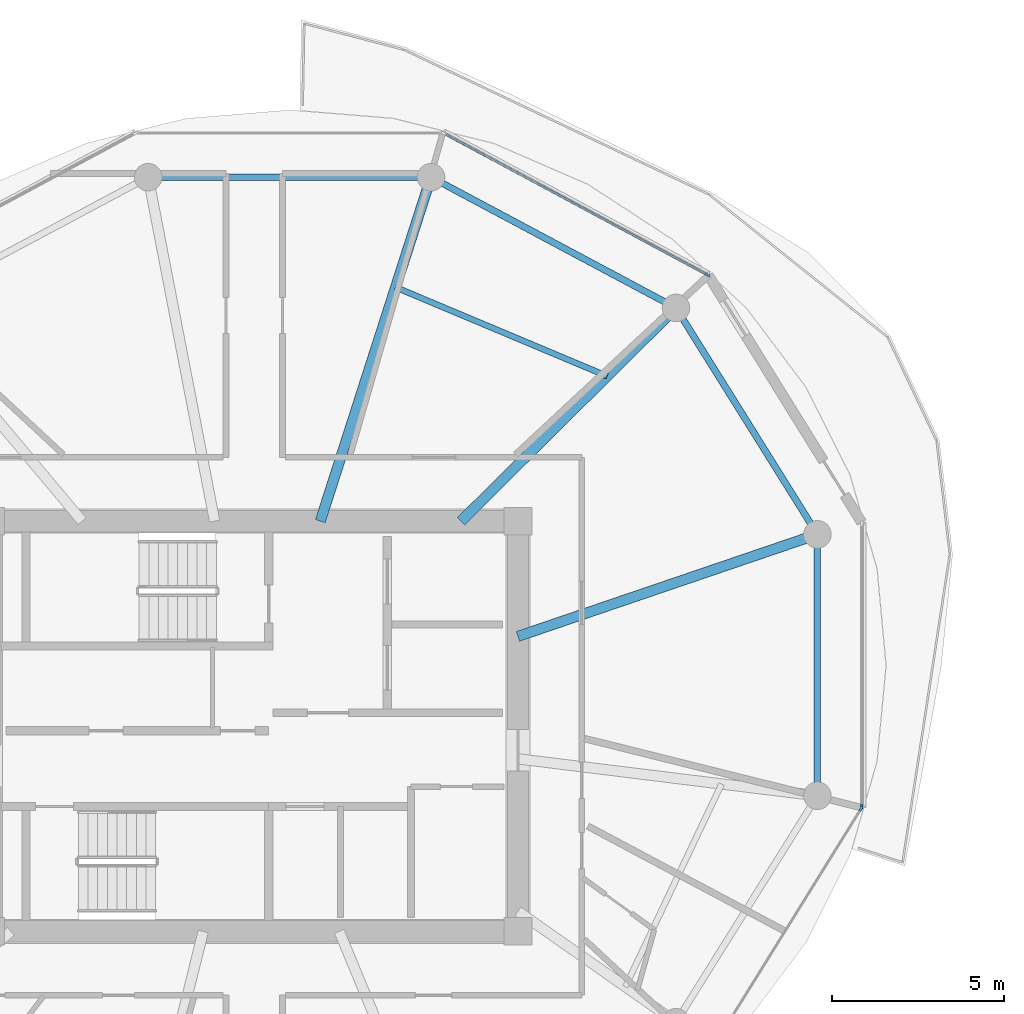
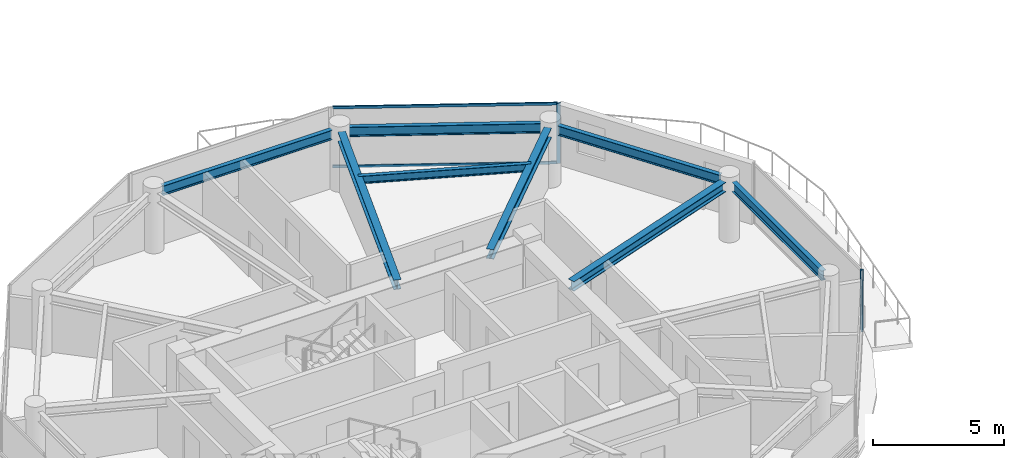
# One storey, part 5 of 21: 8 beams, 5 members, 3 elements without a shape of their own.
"""IFC4 building model written with IfcOpenShell, lengths in metres."""

from ifc_helpers import new_model, si_unit, direction, frame, origin, origin_2d, place, context, subcontext, project, spatial, rectangle, i_section, extrude, source, transform, mapped, material, layer, layer_set, material_profile, profile_set, type_object, type_shapes, element, aggregate, save


model = new_model("IFC4")

# Units and contexts
model_context = context("Model", 3, precision=1e-05, world=origin(), true_north=direction((0.0, 1.0)))
body_context = subcontext(model_context, "Body", "Model", "MODEL_VIEW")
ifc_project = project(units=[si_unit("LENGTHUNIT", "METRE"), si_unit("AREAUNIT", "SQUARE_METRE"), si_unit("VOLUMEUNIT", "CUBIC_METRE"), si_unit("PLANEANGLEUNIT", "RADIAN"), si_unit("MASSUNIT", "GRAM", prefix="KILO")], contexts=[model_context])

# Site, building, storey
site_placement = place(None, origin())
site = spatial("IfcSite", under=ifc_project, at=site_placement, CompositionType="ELEMENT")
building_placement = place(site_placement, origin())
building = spatial("IfcBuilding", under=site, at=building_placement, Name="Norrkilde Senior Care Towers", CompositionType="ELEMENT")
storey_placement = place(building_placement, frame((0.0, 0.0, 140.39990234375)))
storey = spatial("IfcBuildingStorey", under=building, at=storey_placement, Name="L43", CompositionType="ELEMENT", Elevation=140.39990234375)

# Beams
ifc_material_1 = material(Name="Steel S355", Category="steel")
ifc_material_profile_1 = material_profile(ifc_material_1, i_section(OverallWidth=0.18994140625, OverallDepth=0.449951171875, WebThickness=0.009521484375, FlangeThickness=0.0146484375, FilletRadius=0.02099609375, at=origin_2d()), Name="IPE 450")
ifc_profile_set_1 = profile_set([ifc_material_profile_1], Name="Steel S355")
beam_type_1 = type_object("IfcBeamType", Name="Perimeter Ring Spandrel Z3 IPE450", PredefinedType="SPANDREL", material=ifc_profile_set_1)
shared_shape_1 = source(origin(), body_context, "Body", "SweptSolid", [
    extrude(i_section(OverallWidth=0.18994140625, OverallDepth=0.449951171875, WebThickness=0.009521484375, FlangeThickness=0.0146484375, FilletRadius=0.02099609375, at=origin_2d()), origin(), (0.0, 0.0, 1.0), 7.0234375),
])
beam_1_placement = place(storey_placement, frame((-11.855712890625, 5.872314453125, 2.585205078125), z_axis=(-0.529789577822, 0.848129119433, 0.0), x_axis=(-0.848129119433, -0.529789577822, 0.0)))
element("IfcBeam", 1, at=beam_1_placement, inside=storey, type_object=beam_type_1, Name="L43 Drum W Perimeter Spandrel 01", PredefinedType="SPANDREL", context=body_context, shape_type="MappedRepresentation", body=[
    mapped(shared_shape_1, transform((0.0, 0.0, 0.0), x_axis=(1.0, 0.0, 0.0), y_axis=(0.0, 1.0, 0.0), z_axis=(0.0, 0.0, 1.0), scale=1.0)),
])
ifc_material_profile_2 = material_profile(ifc_material_1, i_section(OverallWidth=0.300048828125, OverallDepth=0.449951171875, WebThickness=0.013916015625, FlangeThickness=0.02587890625, FilletRadius=0.027099609375, at=origin_2d()), Name="HEB 450")
ifc_profile_set_2 = profile_set([ifc_material_profile_2], Name="Steel S355")
beam_type_2 = type_object("IfcBeamType", Name="Radial Floor Beam Z3 HEB450", PredefinedType="BEAM", material=ifc_profile_set_2)
shared_shape_2 = source(origin(), body_context, "Body", "SweptSolid", [
    extrude(i_section(OverallWidth=0.300048828125, OverallDepth=0.449951171875, WebThickness=0.013916015625, FlangeThickness=0.02587890625, FilletRadius=0.027099609375, at=origin_2d()), origin(), (0.0, 0.0, 1.0), 8.8154296875),
])
beam_2_placement = place(storey_placement, frame((-20.35009765625, 2.607177734375, 2.585205078125), z_axis=(0.946540556878, 0.322584832539, 0.0), x_axis=(-0.322584832539, 0.946540556878, 0.0)))
element("IfcBeam", 2, at=beam_2_placement, inside=storey, type_object=beam_type_2, Name="L43 Drum W Radial Floor Beam 01", PredefinedType="BEAM", context=body_context, shape_type="MappedRepresentation", body=[
    mapped(shared_shape_2, transform((0.0, 0.0, 0.0), x_axis=(1.0, 0.0, 0.0), y_axis=(0.0, 1.0, 0.0), z_axis=(0.0, 0.0, 1.0), scale=1.0)),
])
shared_shape_3 = source(origin(), body_context, "Body", "SweptSolid", [
    extrude(i_section(OverallWidth=0.18994140625, OverallDepth=0.449951171875, WebThickness=0.009521484375, FlangeThickness=0.0146484375, FilletRadius=0.02099609375, at=origin_2d()), origin(), (0.0, 0.0, 1.0), 7.333740234375),
])
beam_3_placement = place(storey_placement, frame((-16.0849609375, 12.303955078125, 2.585205078125), z_axis=(-0.882247866069, 0.470785198172, 0.0), x_axis=(-0.470785198172, -0.882247866069, 0.0)))
element("IfcBeam", 3, at=beam_3_placement, inside=storey, type_object=beam_type_1, Name="L43 Drum W Perimeter Spandrel 02", PredefinedType="SPANDREL", context=body_context, shape_type="MappedRepresentation", body=[
    mapped(shared_shape_3, transform((0.0, 0.0, 0.0), x_axis=(1.0, 0.0, 0.0), y_axis=(0.0, 1.0, 0.0), z_axis=(0.0, 0.0, 1.0), scale=1.0)),
])
shared_shape_4 = source(origin(), body_context, "Body", "SweptSolid", [
    extrude(i_section(OverallWidth=0.300048828125, OverallDepth=0.449951171875, WebThickness=0.013916015625, FlangeThickness=0.02587890625, FilletRadius=0.027099609375, at=origin_2d()), origin(), (0.0, 0.0, 1.0), 8.421630859375),
])
beam_4_placement = place(storey_placement, frame((-22.001953125, 5.949951171875, 2.585205078125), z_axis=(0.709956495972, 0.704245535184, 0.0), x_axis=(-0.704245535184, 0.709956495972, 0.0)))
element("IfcBeam", 4, at=beam_4_placement, inside=storey, type_object=beam_type_2, Name="L43 Drum W Radial Floor Beam 02", PredefinedType="BEAM", context=body_context, shape_type="MappedRepresentation", body=[
    mapped(shared_shape_4, transform((0.0, 0.0, 0.0), x_axis=(1.0, 0.0, 0.0), y_axis=(0.0, 1.0, 0.0), z_axis=(0.0, 0.0, 1.0), scale=1.0)),
])
shared_shape_5 = source(origin(), body_context, "Body", "SweptSolid", [
    extrude(i_section(OverallWidth=0.18994140625, OverallDepth=0.449951171875, WebThickness=0.009521484375, FlangeThickness=0.0146484375, FilletRadius=0.02099609375, at=origin_2d()), origin(), (0.0, 0.0, 1.0), 7.484619140625),
])
beam_5_placement = place(storey_placement, frame((-23.232666015625, 15.92626953125, 2.585205078125), z_axis=(-1.0, 0.0, 0.0), x_axis=(0.0, -1.0, 0.0)))
element("IfcBeam", 5, at=beam_5_placement, inside=storey, type_object=beam_type_1, Name="L43 Drum W Perimeter Spandrel 03", PredefinedType="SPANDREL", context=body_context, shape_type="MappedRepresentation", body=[
    mapped(shared_shape_5, transform((0.0, 0.0, 0.0), x_axis=(1.0, 0.0, 0.0), y_axis=(0.0, 1.0, 0.0), z_axis=(0.0, 0.0, 1.0), scale=1.0)),
])
shared_shape_6 = source(origin(), body_context, "Body", "SweptSolid", [
    extrude(i_section(OverallWidth=0.300048828125, OverallDepth=0.449951171875, WebThickness=0.013916015625, FlangeThickness=0.02587890625, FilletRadius=0.027099609375, at=origin_2d()), origin(), (0.0, 0.0, 1.0), 10.120361328125),
])
type_shapes(beam_type_2, [shared_shape_2, shared_shape_4, shared_shape_6])
beam_6_placement = place(storey_placement, frame((-26.08447265625, 5.949951171875, 2.585205078125), z_axis=(0.306440973744, 0.951889662519, 0.0), x_axis=(-0.951889662519, 0.306440973744, 0.0)))
element("IfcBeam", 6, at=beam_6_placement, inside=storey, type_object=beam_type_2, Name="L43 Drum W Radial Floor Beam 03", PredefinedType="BEAM", context=body_context, shape_type="MappedRepresentation", body=[
    mapped(shared_shape_6, transform((0.0, 0.0, 0.0), x_axis=(1.0, 0.0, 0.0), y_axis=(0.0, 1.0, 0.0), z_axis=(0.0, 0.0, 1.0), scale=1.0)),
])
shared_shape_7 = source(origin(), body_context, "Body", "SweptSolid", [
    extrude(i_section(OverallWidth=0.18994140625, OverallDepth=0.449951171875, WebThickness=0.009521484375, FlangeThickness=0.0146484375, FilletRadius=0.02099609375, at=origin_2d()), origin(), (0.0, 0.0, 1.0), 6.86328125),
])
type_shapes(beam_type_1, [shared_shape_1, shared_shape_3, shared_shape_5, shared_shape_7])
beam_7_placement = place(storey_placement, frame((-11.6650390625, -1.65625, 2.585205078125), z_axis=(0.0, 1.0, 0.0), x_axis=(-1.0, 0.0, 0.0)))
element("IfcBeam", 7, at=beam_7_placement, inside=storey, type_object=beam_type_1, Name="L43 Drum W Perimeter Spandrel 12", PredefinedType="SPANDREL", context=body_context, shape_type="MappedRepresentation", body=[
    mapped(shared_shape_7, transform((0.0, 0.0, 0.0), x_axis=(1.0, 0.0, 0.0), y_axis=(0.0, 1.0, 0.0), z_axis=(0.0, 0.0, 1.0), scale=1.0)),
])
ifc_material_profile_3 = material_profile(ifc_material_1, i_section(OverallWidth=0.169921875, OverallDepth=0.360107421875, WebThickness=0.008056640625, FlangeThickness=0.0126953125, FilletRadius=0.01806640625, at=origin_2d()), Name="IPE 360")
ifc_profile_set_3 = profile_set([ifc_material_profile_3], Name="Steel S355")
beam_type_3 = type_object("IfcBeamType", Name="Secondary Floor Joist IPE360", PredefinedType="JOIST", material=ifc_profile_set_3)
shared_shape_8 = source(origin(), body_context, "Body", "SweptSolid", [
    extrude(i_section(OverallWidth=0.169921875, OverallDepth=0.360107421875, WebThickness=0.008056640625, FlangeThickness=0.0126953125, FilletRadius=0.01806640625, at=origin_2d()), origin(), (0.0, 0.0, 1.0), 6.657470703125),
])
type_shapes(beam_type_3, [shared_shape_8])
beam_8_placement = place(storey_placement, frame((-17.762451171875, 10.155517578125, 2.630126953125), z_axis=(-0.921958799252, 0.387287971, 0.0), x_axis=(-0.387287971, -0.921958799252, 0.0)))
element("IfcBeam", 8, at=beam_8_placement, inside=storey, type_object=beam_type_3, Name="L43 Drum W Secondary Floor Joist 1", PredefinedType="JOIST", context=body_context, shape_type="MappedRepresentation", body=[
    mapped(shared_shape_8, transform((0.0, 0.0, 0.0), x_axis=(1.0, 0.0, 0.0), y_axis=(0.0, 1.0, 0.0), z_axis=(0.0, 0.0, 1.0), scale=1.0)),
])

# Curtain wall, member
ifc_material_2 = material(Name="Triple Low-E Insulated Glazing", Category="glass")
ifc_layer = layer(ifc_material_2, 0.18994140625)
ifc_layer_set = layer_set([ifc_layer], Name="Triple Low-E Insulated Glazing")
curtain_wall_type = type_object("IfcCurtainWallType", Name="CW4 Zone 3 Senior Residence Curtain Wall", PredefinedType="NOTDEFINED", material=ifc_layer_set)
curtain_wall_1_placement = place(storey_placement, origin())
curtain_wall_1 = element("IfcCurtainWall", 9, at=curtain_wall_1_placement, inside=storey, type_object=curtain_wall_type, Name="L43 Drum W Curtain Wall 01", PredefinedType="NOTDEFINED")
ifc_material_3 = material(Name="Anodised Aluminium", Category="aluminium")
ifc_material_profile_4 = material_profile(ifc_material_3, rectangle(XDim=0.06494140625, YDim=0.14990234375, at=origin_2d()), Name="ALU MULL 65x150")
ifc_profile_set_4 = profile_set([ifc_material_profile_4], Name="Anodised Aluminium")
member_type_1 = type_object("IfcMemberType", Name="Curtain Wall Mullion Z3-Z4 65x150", PredefinedType="MULLION", material=ifc_profile_set_4)
shared_shape_9 = source(origin(), body_context, "Body", "SweptSolid", [
    extrude(rectangle(XDim=0.06494140625, YDim=0.14990234375, at=origin_2d()), origin(), (0.0, 0.0, 1.0), 2.81005859375),
])
type_shapes(member_type_1, [shared_shape_9])
member_1_placement = place(storey_placement, frame((-14.85546875, 13.09033203125, 0.0), z_axis=(0.0, 0.0, 1.0), x_axis=(0.47311715104, 0.880999524059, 0.0)))
member_1 = element("IfcMember", 10, at=member_1_placement, type_object=member_type_1, Name="CW-4 mullion 2", PredefinedType="MULLION", context=body_context, shape_type="MappedRepresentation", body=[
    mapped(shared_shape_9, transform((0.0, 0.0, 0.0), x_axis=(1.0, 0.0, 0.0), y_axis=(0.0, 1.0, 0.0), z_axis=(0.0, 0.0, 1.0), scale=1.0)),
])

curtain_wall_2_placement = place(storey_placement, origin())
curtain_wall_2 = element("IfcCurtainWall", 11, at=curtain_wall_2_placement, inside=storey, type_object=curtain_wall_type, Name="L43 Drum W Curtain Wall 10", PredefinedType="NOTDEFINED")
member_2_placement = place(storey_placement, frame((-10.3974609375, -2.38818359375, 0.0), z_axis=(0.0, 0.0, 1.0), x_axis=(0.84963405474, -0.52737270789, 0.0)))
member_2 = element("IfcMember", 12, at=member_2_placement, type_object=member_type_1, Name="CW-4 mullion 1", PredefinedType="MULLION", context=body_context, shape_type="MappedRepresentation", body=[
    mapped(shared_shape_9, transform((0.0, 0.0, 0.0), x_axis=(1.0, 0.0, 0.0), y_axis=(0.0, 1.0, 0.0), z_axis=(0.0, 0.0, 1.0), scale=1.0)),
])
aggregate(curtain_wall_2, [member_2])

curtain_wall_3_placement = place(storey_placement, origin())
curtain_wall_3 = element("IfcCurtainWall", 13, at=curtain_wall_3_placement, inside=storey, type_object=curtain_wall_type, Name="L43 Drum W Curtain Wall 11", PredefinedType="NOTDEFINED")
member_3_placement = place(storey_placement, frame((-10.38037109375, -2.328125, 0.0), z_axis=(0.0, 0.0, 1.0), x_axis=(1.0, 0.0, 0.0)))
member_3 = element("IfcMember", 14, at=member_3_placement, type_object=member_type_1, Name="CW-4 mullion 2", PredefinedType="MULLION", context=body_context, shape_type="MappedRepresentation", body=[
    mapped(shared_shape_9, transform((0.0, 0.0, 0.0), x_axis=(1.0, 0.0, 0.0), y_axis=(0.0, 1.0, 0.0), z_axis=(0.0, 0.0, 1.0), scale=1.0)),
])
aggregate(curtain_wall_3, [member_3])

# Member
ifc_material_profile_5 = material_profile(ifc_material_3, rectangle(XDim=0.06005859375, YDim=0.1201171875, at=origin_2d()), Name="ALU TRAN 60x120")
ifc_profile_set_5 = profile_set([ifc_material_profile_5], Name="Anodised Aluminium")
member_type_2 = type_object("IfcMemberType", Name="Curtain Wall Transom Typical 60x120", PredefinedType="USERDEFINED", material=ifc_profile_set_5)
shared_shape_10 = source(origin(), body_context, "Body", "SweptSolid", [
    extrude(rectangle(XDim=0.06005859375, YDim=0.1201171875, at=origin_2d()), origin(), (0.0, 0.0, 1.0), 8.61181640625),
])
type_shapes(member_type_2, [shared_shape_10])
member_4_placement = place(storey_placement, frame((-22.47119140625, 17.18017578125, 0.030029296875), z_axis=(0.880993991641, -0.473127452906, 0.0), x_axis=(0.473127452906, 0.880993991641, 0.0)))
member_4 = element("IfcMember", 15, at=member_4_placement, type_object=member_type_2, Name="CW-4 transom 1.1", ObjectType="TRANSOM", PredefinedType="USERDEFINED", context=body_context, shape_type="MappedRepresentation", body=[
    mapped(shared_shape_10, transform((0.0, 0.0, 0.0), x_axis=(1.0, 0.0, 0.0), y_axis=(0.0, 1.0, 0.0), z_axis=(0.0, 0.0, 1.0), scale=1.0)),
])

member_5_placement = place(storey_placement, frame((-22.47119140625, 17.18017578125, 2.780029296875), z_axis=(0.880993991641, -0.473127452906, 0.0), x_axis=(0.473127452906, 0.880993991641, 0.0)))
member_5 = element("IfcMember", 16, at=member_5_placement, type_object=member_type_2, Name="CW-4 transom 1.2", ObjectType="TRANSOM", PredefinedType="USERDEFINED", context=body_context, shape_type="MappedRepresentation", body=[
    mapped(shared_shape_10, transform((0.0, 0.0, 0.0), x_axis=(1.0, 0.0, 0.0), y_axis=(0.0, 1.0, 0.0), z_axis=(0.0, 0.0, 1.0), scale=1.0)),
])

aggregate(curtain_wall_1, [member_1, member_4, member_5])

save(model, "model.ifc")
